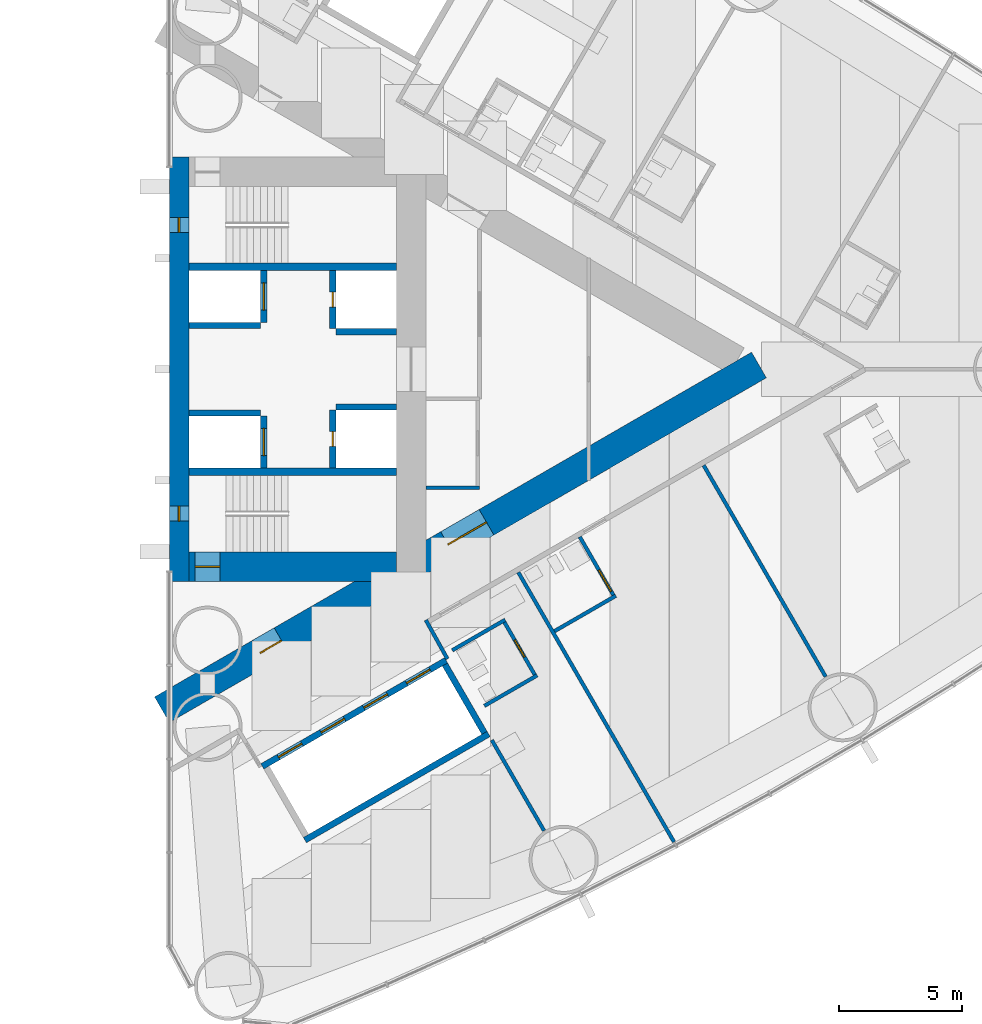
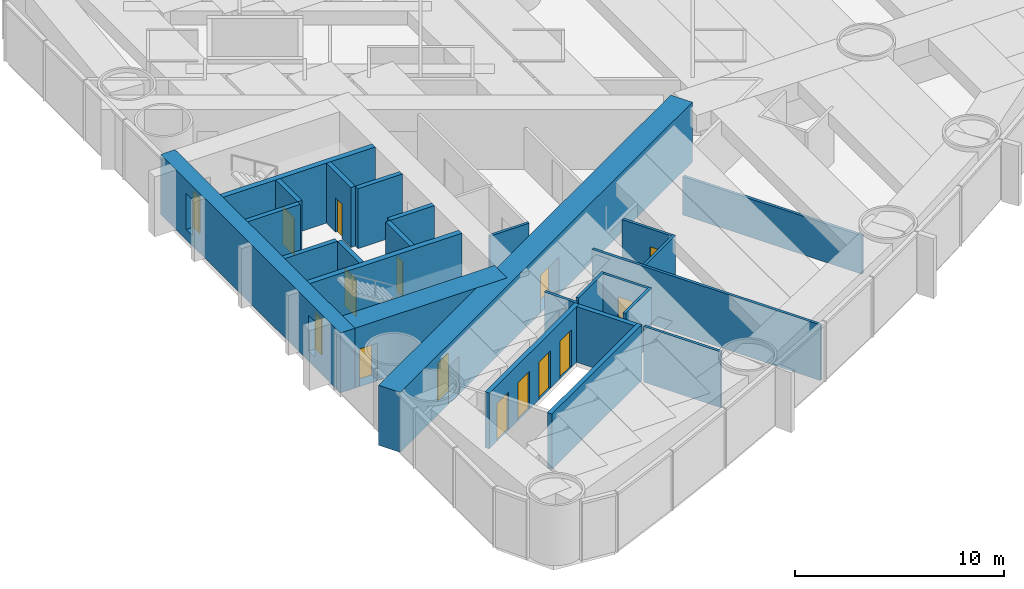
# One storey, part 14 of 19: 26 walls, 13 doors, 2 windows, 15 openings.
"""IFC4 building model written with IfcOpenShell, lengths in metres."""

import ifcopenshell
import ifcopenshell.guid

model = None  # the IFC model being written
_history = None  # IfcOwnerHistory: only IFC2X3 demands one
_inside = {}  # id of a spatial element -> (the spatial element, [elements in it])
_under = {}  # id of a project, library or spatial element -> (it, [spatial elements below it])
_declared = {}  # id of a project -> (the project, [libraries it declares])
_typed = {}  # id of a type object -> (the type object, [elements of that type])
_made_of = {}  # id of a material, layer set ... -> (it, [elements and type objects made of it])


def new_model(schema):
    """Start an empty IFC model of exactly this schema.

    Asked for "IFC4X3", IfcOpenShell would pick the latest addendum, in which some entities
    have other attributes; the version numbers below select the first issue.
    IFC2X3 requires an IfcOwnerHistory on every rooted entity: one is made here for all.
    """
    global model, _history
    if schema == "IFC4X3":
        model = ifcopenshell.file(schema_version=(4, 3, 0, 0))
    else:
        model = ifcopenshell.file(schema=schema)
    _inside.clear()
    _under.clear()
    _declared.clear()
    _typed.clear()
    _made_of.clear()
    _history = None
    if model.schema == "IFC2X3":
        org = make("IfcOrganization", Name="unknown")
        user = make(
            "IfcPersonAndOrganization",
            ThePerson=make("IfcPerson", FamilyName="unknown"),
            TheOrganization=org,
        )
        app = make(
            "IfcApplication",
            ApplicationDeveloper=org,
            Version="unknown",
            ApplicationFullName="unknown",
            ApplicationIdentifier="unknown",
        )
        _history = make(
            "IfcOwnerHistory",
            OwningUser=user,
            OwningApplication=app,
            ChangeAction="ADDED",
            CreationDate=0,
        )
    return model


def make(cls, **values):
    """One entity of the class cls with the attributes given. An attribute that is None is left unset."""
    return model.create_entity(
        cls, **{name: value for name, value in values.items() if value is not None}
    )


def rooted(cls, **values):
    """An entity with a GlobalId (a new one), such as an element, a storey or a relation."""
    return make(cls, GlobalId=ifcopenshell.guid.new(), OwnerHistory=_history, **values)


def si_unit(unit_type, name, prefix=None):
    """IfcSIUnit, for example si_unit("LENGTHUNIT", "METRE", prefix="MILLI")."""
    return make("IfcSIUnit", UnitType=unit_type, Prefix=prefix, Name=name)


def assignment(units):
    """IfcUnitAssignment: the units of a project."""
    return None if units is None else make("IfcUnitAssignment", Units=units)


def point(xyz):
    """IfcCartesianPoint."""
    return None if xyz is None else make("IfcCartesianPoint", Coordinates=xyz)


def direction(xyz):
    """IfcDirection."""
    return None if xyz is None else make("IfcDirection", DirectionRatios=xyz)


def frame(location, z_axis=None, x_axis=None):
    """IfcAxis2Placement3D, a coordinate frame: its origin and axes. An axis left out is left unset."""
    return make(
        "IfcAxis2Placement3D",
        Location=point(location),
        Axis=direction(z_axis),
        RefDirection=direction(x_axis),
    )


def frame_2d(location, x_axis=None):
    """IfcAxis2Placement2D, a coordinate frame in the plane: its origin and x axis."""
    return make(
        "IfcAxis2Placement2D", Location=point(location), RefDirection=direction(x_axis)
    )


def origin():
    """The frame at (0, 0, 0) with its axes left unset."""
    return frame((0.0, 0.0, 0.0))


def place(relative_to, where):
    """IfcLocalPlacement: puts the frame where relative to a parent placement (None: the world)."""
    return make(
        "IfcLocalPlacement", PlacementRelTo=relative_to, RelativePlacement=where
    )


def context(
    kind, dimensions, precision=None, world=None, true_north=None, identifier=None
):
    """IfcGeometricRepresentationContext, for example the 3D "Model" context."""
    return make(
        "IfcGeometricRepresentationContext",
        ContextIdentifier=identifier,
        ContextType=kind,
        CoordinateSpaceDimension=dimensions,
        Precision=precision,
        WorldCoordinateSystem=world,
        TrueNorth=true_north,
    )


def subcontext(parent, identifier, kind, view, scale=None):
    """IfcGeometricRepresentationSubContext, for example "Body" below "Model"."""
    return make(
        "IfcGeometricRepresentationSubContext",
        ContextIdentifier=identifier,
        ContextType=kind,
        ParentContext=parent,
        TargetScale=scale,
        TargetView=view,
    )


def project(units=None, contexts=None):
    """IfcProject with its units and contexts."""
    return rooted(
        "IfcProject",
        Name="project",
        RepresentationContexts=contexts,
        UnitsInContext=assignment(units),
    )


def spatial(cls, under=None, at=None, **own):
    """A site, building, storey or space (cls), placed at a placement, below another one or the project."""
    s = rooted(cls, ObjectPlacement=at, **own)
    if under is not None:
        _under.setdefault(under.id(), (under, []))[1].append(s)
    return s


def profile(cls, at=None, kind="AREA", **sizes):
    """A parametric profile (cls). Its sizes go by their IFC names, for example OverallWidth=200.0."""
    return make(cls, ProfileType=kind, Position=at, **sizes)


def rectangle(**sizes):
    """IfcRectangleProfileDef."""
    return profile("IfcRectangleProfileDef", **sizes)


def extrude(swept, where, along, depth):
    """IfcExtrudedAreaSolid: the profile swept, set in the frame where, extruded along a direction by depth."""
    return make(
        "IfcExtrudedAreaSolid",
        SweptArea=swept,
        Position=where,
        ExtrudedDirection=direction(along),
        Depth=depth,
    )


def shape(context_of_items, identifier, shape_type, items):
    """IfcShapeRepresentation: the items that make up one representation, for example the "Body"."""
    return make(
        "IfcShapeRepresentation",
        ContextOfItems=context_of_items,
        RepresentationIdentifier=identifier,
        RepresentationType=shape_type,
        Items=items,
    )


def material(Name=None, Category=None):
    """IfcMaterial."""
    return make("IfcMaterial", Name=Name, Category=Category)


def layer(
    of_material, thickness, ventilated=None, Name=None, Category=None, Priority=None
):
    """IfcMaterialLayer: one layer of a wall or slab, of a material (None: an air gap)."""
    return make(
        "IfcMaterialLayer",
        Material=of_material,
        LayerThickness=thickness,
        IsVentilated=ventilated,
        Name=Name,
        Category=Category,
        Priority=Priority,
    )


def layer_set(layers, Name=None):
    """IfcMaterialLayerSet."""
    return make("IfcMaterialLayerSet", MaterialLayers=layers, LayerSetName=Name)


def made_of(thing, what):
    """Note that an element or type object is made of a material, layer set ...; save() writes the relation."""
    if what is not None:
        _made_of.setdefault(what.id(), (what, []))[1].append(thing)
    return thing


def type_object(cls, material=None, **own):
    """A type object (cls), such as IfcWallType, which elements share."""
    return made_of(rooted(cls, **own), material)


def element(
    cls,
    number,
    at=None,
    inside=None,
    cuts=None,
    type_object=None,
    material=None,
    context=None,
    identifier="Body",
    shape_type=None,
    held_by="IfcProductDefinitionShape",
    body=None,
    shapes=None,
    **own,
):
    """One element of the class cls, such as IfcWall. Its Tag is "e" and its number.

    at: its placement. inside: the storey or other place that contains it. cuts: it is an
    opening in that element (IfcRelVoidsElement). A single representation is given by context,
    identifier, shape_type and body (its items); several are given by shapes. held_by: the class
    of the entity that holds the representations. save() writes the other relations.
    """
    e = rooted(cls, Tag="e%d" % number, ObjectPlacement=at, **own)
    if body is not None:
        shapes = [shape(context, identifier, shape_type, body)]
    if shapes is not None:
        e.Representation = make(held_by, Representations=shapes)
    if inside is not None:
        _inside.setdefault(inside.id(), (inside, []))[1].append(e)
    if cuts is not None:
        rooted(
            "IfcRelVoidsElement", RelatingBuildingElement=cuts, RelatedOpeningElement=e
        )
    if type_object is not None:
        _typed.setdefault(type_object.id(), (type_object, []))[1].append(e)
    return made_of(e, material)


def fill(opening, filler):
    """IfcRelFillsElement: the door or window that sits in an opening."""
    return rooted(
        "IfcRelFillsElement",
        RelatingOpeningElement=opening,
        RelatedBuildingElement=filler,
    )


def aggregate(whole, parts):
    """IfcRelAggregates: a whole, such as a stair, and the parts it consists of."""
    return rooted("IfcRelAggregates", RelatingObject=whole, RelatedObjects=parts)


def save(model, path):
    """Write the relations noted so far, then the file.

    IfcRelAggregates (storeys below a building ...), IfcRelContainedInSpatialStructure (elements
    in a storey), IfcRelDefinesByType, IfcRelAssociatesMaterial and IfcRelDeclares: one each for
    every whole, place, type object, material and project.
    """
    for whole, parts in _under.values():
        aggregate(whole, parts)
    for where, things in _inside.values():
        rooted(
            "IfcRelContainedInSpatialStructure",
            RelatedElements=things,
            RelatingStructure=where,
        )
    for kind, things in _typed.values():
        rooted("IfcRelDefinesByType", RelatedObjects=things, RelatingType=kind)
    for what, things in _made_of.values():
        rooted("IfcRelAssociatesMaterial", RelatedObjects=things, RelatingMaterial=what)
    for by, libraries in _declared.values():
        rooted("IfcRelDeclares", RelatingContext=by, RelatedDefinitions=libraries)
    model.write(path)


model = new_model("IFC4")

# Units and contexts
model_context = context("Model", 3, precision=1e-05, world=origin(), true_north=direction((0.0, 1.0)))
body_context = subcontext(model_context, "Body", "Model", "MODEL_VIEW")
ifc_project = project(units=[si_unit("LENGTHUNIT", "METRE"), si_unit("AREAUNIT", "SQUARE_METRE"), si_unit("VOLUMEUNIT", "CUBIC_METRE"), si_unit("PLANEANGLEUNIT", "RADIAN"), si_unit("MASSUNIT", "GRAM", prefix="KILO")], contexts=[model_context])

# Site, building, storey
site_placement = place(None, origin())
site = spatial("IfcSite", under=ifc_project, at=site_placement, CompositionType="ELEMENT")
building_placement = place(site_placement, origin())
building = spatial("IfcBuilding", under=site, at=building_placement, Name="Lancet Gate Hotel", CompositionType="ELEMENT")
storey_placement = place(building_placement, frame((0.0, 0.0, 39.0)))
storey = spatial("IfcBuildingStorey", under=building, at=storey_placement, Name="L09", CompositionType="ELEMENT", Elevation=39.0)

# Wall
ifc_material_1 = material(Name="Moisture resistant board partition")
ifc_layer_1 = layer(ifc_material_1, 0.14990234375)
ifc_layer_set_1 = layer_set([ifc_layer_1], Name="Bathroom wall 150")
wall_type_1 = type_object("IfcWallType", Name="Bathroom wall 150", PredefinedType="PARTITIONING", material=ifc_layer_set_1)
wall_1_placement = place(storey_placement, frame((43.1123046875, -10.617431640625, 0.0), z_axis=(0.0, 0.0, 1.0), x_axis=(0.866018712932, 0.500011588718, 0.0)))
element("IfcWall", 1, at=wall_1_placement, inside=storey, type_object=wall_type_1, Name="T2 bathroom wall 150 L09", PredefinedType="PARTITIONING", context=body_context, shape_type="SweptSolid", body=[
    extrude(rectangle(XDim=2.875, YDim=0.14990234375, at=frame_2d((1.4375, 0.0))), origin(), (0.0, 0.0, 1.0), 3.25),
])

# Wall, opening, door
wall_2_placement = place(storey_placement, frame((44.13720703125, -6.79248046875, 0.0), z_axis=(0.0, 0.0, 1.0), x_axis=(0.49994636267, -0.866056369097, 0.0)))
wall_2 = element("IfcWall", 2, at=wall_2_placement, inside=storey, type_object=wall_type_1, Name="T2 bathroom wall 150 L09", PredefinedType="PARTITIONING", context=body_context, shape_type="SweptSolid", body=[
    extrude(rectangle(XDim=2.800048828125, YDim=0.14990234375, at=frame_2d((1.39990234375, 0.0))), origin(), (0.0, 0.0, 1.0), 3.25),
])
opening_1_placement = place(wall_2_placement, frame((1.550048828125, 0.0, 0.0)))
opening_1 = element("IfcOpeningElement", 3, at=opening_1_placement, cuts=wall_2, Name="Opening 0954-B", PredefinedType="OPENING", context=body_context, shape_type="SweptSolid", body=[
    extrude(rectangle(XDim=1.0, YDim=2.199951171875, at=frame_2d((0.5, 1.10009765625))), frame((0.0, 0.0849609375, 0.0), z_axis=(0.0, -1.0, 0.0), x_axis=(1.0, 0.0, 0.0)), (0.0, 0.0, 1.0), 0.169921875),
])
ifc_material_2 = material(Name="Timber door set", Category="wood")
door_type_1 = type_object("IfcDoorType", Name="Accessible en-suite door 1000", OperationType="SINGLE_SWING_RIGHT", PredefinedType="DOOR", material=ifc_material_2)
door_1_placement = place(opening_1_placement, origin())
door_1 = element("IfcDoor", 4, at=door_1_placement, inside=storey, type_object=door_type_1, Name="0954-B", OperationType="SINGLE_SWING_RIGHT", OverallHeight=2.199951171875, OverallWidth=1.0, PredefinedType="DOOR", context=body_context, shape_type="SweptSolid", body=[
    extrude(rectangle(XDim=1.0, YDim=2.199951171875, at=frame_2d((0.5, 1.10009765625))), frame((0.0, 0.02490234375, 0.0), z_axis=(0.0, -1.0, 0.0), x_axis=(1.0, 0.0, 0.0)), (0.0, 0.0, 1.0), 0.050048828125),
])
fill(opening_1, door_1)

# Wall
wall_3_placement = place(storey_placement, frame((40.269775390625, -13.644287109375, 0.0), z_axis=(0.0, 0.0, 1.0), x_axis=(0.866031185235, 0.4999899861, 0.0)))
element("IfcWall", 5, at=wall_3_placement, inside=storey, type_object=wall_type_1, Name="T2 bathroom wall 150 L09", PredefinedType="PARTITIONING", context=body_context, shape_type="SweptSolid", body=[
    extrude(rectangle(XDim=2.47509765625, YDim=0.14990234375, at=frame_2d((1.237548828125, 0.0))), origin(), (0.0, 0.0, 1.0), 3.25),
])

# Wall, opening, door
wall_4_placement = place(storey_placement, frame((41.04833984375, -10.192626953125, 0.0), z_axis=(0.0, 0.0, 1.0), x_axis=(0.500047596559, -0.865997922154, 0.0)))
wall_4 = element("IfcWall", 6, at=wall_4_placement, inside=storey, type_object=wall_type_1, Name="T2 bathroom wall 150 L09", PredefinedType="PARTITIONING", context=body_context, shape_type="SweptSolid", body=[
    extrude(rectangle(XDim=2.599853515625, YDim=0.14990234375, at=frame_2d((1.2998046875, 0.0))), origin(), (0.0, 0.0, 1.0), 3.25),
])
opening_2_placement = place(wall_4_placement, frame((0.89990234375, 0.0, 0.0)))
opening_2 = element("IfcOpeningElement", 7, at=opening_2_placement, cuts=wall_4, Name="Opening 0953-B", PredefinedType="OPENING", context=body_context, shape_type="SweptSolid", body=[
    extrude(rectangle(XDim=0.800048828125, YDim=2.199951171875, at=frame_2d((0.39990234375, 1.10009765625))), frame((0.0, 0.0849609375, 0.0), z_axis=(0.0, -1.0, 0.0), x_axis=(1.0, 0.0, 0.0)), (0.0, 0.0, 1.0), 0.169921875),
])
ifc_material_3 = material(Name="Timber door set", Category="wood")
door_type_2 = type_object("IfcDoorType", Name="Bathroom door 800", OperationType="SINGLE_SWING_RIGHT", PredefinedType="DOOR", material=ifc_material_3)
door_2_placement = place(opening_2_placement, origin())
door_2 = element("IfcDoor", 8, at=door_2_placement, inside=storey, type_object=door_type_2, Name="0953-B", OperationType="SINGLE_SWING_RIGHT", OverallHeight=2.199951171875, OverallWidth=0.800048828125, PredefinedType="DOOR", context=body_context, shape_type="SweptSolid", body=[
    extrude(rectangle(XDim=0.800048828125, YDim=2.199951171875, at=frame_2d((0.39990234375, 1.10009765625))), frame((0.0, 0.02490234375, 0.0), z_axis=(0.0, -1.0, 0.0), x_axis=(1.0, 0.0, 0.0)), (0.0, 0.0, 1.0), 0.050048828125),
])
fill(opening_2, door_2)

# Wall
wall_5_placement = place(storey_placement, frame((38.9697265625, -11.392578125, 0.0), z_axis=(0.0, 0.0, 1.0), x_axis=(0.866031185235, 0.4999899861, 0.0)))
element("IfcWall", 9, at=wall_5_placement, inside=storey, type_object=wall_type_1, Name="T2 bathroom wall 150 L09", PredefinedType="PARTITIONING", context=body_context, shape_type="SweptSolid", body=[
    extrude(rectangle(XDim=2.47509765625, YDim=0.14990234375, at=frame_2d((1.237548828125, 0.0))), origin(), (0.0, 0.0, 1.0), 3.25),
])

# Wall, openings, doors
ifc_material_4 = material(Name="Concrete C70/85", Category="concrete")
ifc_layer_2 = layer(ifc_material_4, 1.199951171875)
ifc_layer_set_2 = layer_set([ifc_layer_2], Name="Buttress wall 1200")
wall_type_2 = type_object("IfcWallType", Name="Buttress wall 1200", PredefinedType="SHEAR", material=ifc_layer_set_2)
wall_6_placement = place(storey_placement, frame((27.199951171875, -13.800048828125, 0.0), z_axis=(0.0, 0.0, 1.0), x_axis=(0.866027159892, 0.499996958321, 0.0)))
wall_6 = element("IfcWall", 10, at=wall_6_placement, inside=storey, type_object=wall_type_2, Name="T2 buttress wall S L09", PredefinedType="SHEAR", context=body_context, shape_type="SweptSolid", body=[
    extrude(rectangle(XDim=27.946533203125, YDim=1.199951171875, at=frame_2d((13.97314453125, 0.0))), origin(), (0.0, 0.0, 1.0), 3.5),
])
opening_3_placement = place(wall_6_placement, frame((4.60009765625, 0.0, 0.0)))
opening_3 = element("IfcOpeningElement", 11, at=opening_3_placement, cuts=wall_6, Name="Opening T2-L09-LS", PredefinedType="OPENING", context=body_context, shape_type="SweptSolid", body=[
    extrude(rectangle(XDim=1.0, YDim=2.199951171875, at=frame_2d((0.5, 1.10009765625))), frame((0.0, 0.60986328125, 0.0), z_axis=(0.0, -1.0, 0.0), x_axis=(1.0, 0.0, 0.0)), (0.0, 0.0, 1.0), 1.219970703125),
])
opening_4_placement = place(wall_6_placement, frame((13.39453125, 0.0, 0.0)))
opening_4 = element("IfcOpeningElement", 12, at=opening_4_placement, cuts=wall_6, Name="Opening T2-L09-LHS", PredefinedType="OPENING", context=body_context, shape_type="SweptSolid", body=[
    extrude(rectangle(XDim=1.800048828125, YDim=2.199951171875, at=frame_2d((0.89990234375, 1.10009765625))), frame((0.0, 0.60986328125, 0.0), z_axis=(0.0, -1.0, 0.0), x_axis=(1.0, 0.0, 0.0)), (0.0, 0.0, 1.0), 1.219970703125),
])
ifc_material_5 = material(Name="Timber door set", Category="wood")
door_type_3 = type_object("IfcDoorType", Name="Lobby double door 1800", OperationType="DOUBLE_DOOR_SINGLE_SWING", PredefinedType="DOOR", material=ifc_material_5)
door_3_placement = place(opening_4_placement, origin())
door_3 = element("IfcDoor", 13, at=door_3_placement, inside=storey, type_object=door_type_3, Name="T2-L09-LHS", OperationType="DOUBLE_DOOR_SINGLE_SWING", OverallHeight=2.199951171875, OverallWidth=1.800048828125, PredefinedType="DOOR", context=body_context, shape_type="SweptSolid", body=[
    extrude(rectangle(XDim=1.800048828125, YDim=2.199951171875, at=frame_2d((0.89990234375, 1.10009765625))), frame((0.0, 0.02490234375, 0.0), z_axis=(0.0, -1.0, 0.0), x_axis=(1.0, 0.0, 0.0)), (0.0, 0.0, 1.0), 0.050048828125),
])
fill(opening_4, door_3)
ifc_material_6 = material(Name="Timber door set", Category="wood")
door_type_4 = type_object("IfcDoorType", Name="Stair lobby door 1000", OperationType="SINGLE_SWING_LEFT", PredefinedType="DOOR", material=ifc_material_6)
door_4_placement = place(opening_3_placement, origin())
door_4 = element("IfcDoor", 14, at=door_4_placement, inside=storey, type_object=door_type_4, Name="T2-L09-LS", OperationType="SINGLE_SWING_LEFT", OverallHeight=2.199951171875, OverallWidth=1.0, PredefinedType="DOOR", context=body_context, shape_type="SweptSolid", body=[
    extrude(rectangle(XDim=1.0, YDim=2.199951171875, at=frame_2d((0.5, 1.10009765625))), frame((0.0, 0.02490234375, 0.0), z_axis=(0.0, -1.0, 0.0), x_axis=(1.0, 0.0, 0.0)), (0.0, 0.0, 1.0), 0.050048828125),
])
fill(opening_3, door_4)

# Wall, opening, door
ifc_material_7 = material(Name="Concrete C70/85", Category="concrete")
ifc_layer_3 = layer(ifc_material_7, 1.199951171875)
ifc_layer_set_3 = layer_set([ifc_layer_3], Name="Core wall 1200")
wall_type_3 = type_object("IfcWallType", Name="Core wall 1200", PredefinedType="SHEAR", material=ifc_layer_set_3)
wall_7_placement = place(storey_placement, frame((28.300048828125, -8.0, 0.0), z_axis=(0.0, 0.0, 1.0), x_axis=(1.0, 0.0, 0.0)))
wall_7 = element("IfcWall", 15, at=wall_7_placement, inside=storey, type_object=wall_type_3, Name="T2 core wall side-S L09", PredefinedType="SHEAR", context=body_context, shape_type="SweptSolid", body=[
    extrude(rectangle(XDim=8.39990234375, YDim=1.199951171875, at=frame_2d((4.199951171875, 0.0))), origin(), (0.0, 0.0, 1.0), 3.5),
])
opening_5_placement = place(wall_7_placement, frame((0.25, 0.0, 0.0)))
opening_5 = element("IfcOpeningElement", 16, at=opening_5_placement, cuts=wall_7, Name="Opening T2-L09-ST1", PredefinedType="OPENING", context=body_context, shape_type="SweptSolid", body=[
    extrude(rectangle(XDim=1.0, YDim=2.199951171875, at=frame_2d((0.5, 1.10009765625))), frame((0.0, 0.60986328125, 0.0), z_axis=(0.0, -1.0, 0.0), x_axis=(1.0, 0.0, 0.0)), (0.0, 0.0, 1.0), 1.219970703125),
])
ifc_material_8 = material(Name="Timber door set", Category="wood")
door_type_5 = type_object("IfcDoorType", Name="Stair door 1000", OperationType="SINGLE_SWING_RIGHT", PredefinedType="DOOR", material=ifc_material_8)
door_5_placement = place(opening_5_placement, origin())
door_5 = element("IfcDoor", 17, at=door_5_placement, inside=storey, type_object=door_type_5, Name="T2-L09-ST1", OperationType="SINGLE_SWING_RIGHT", OverallHeight=2.199951171875, OverallWidth=1.0, PredefinedType="DOOR", context=body_context, shape_type="SweptSolid", body=[
    extrude(rectangle(XDim=1.0, YDim=2.199951171875, at=frame_2d((0.5, 1.10009765625))), frame((0.0, 0.02490234375, 0.0), z_axis=(0.0, -1.0, 0.0), x_axis=(1.0, 0.0, 0.0)), (0.0, 0.0, 1.0), 0.050048828125),
])
fill(opening_5, door_5)

# Wall, openings, windows
ifc_material_9 = material(Name="Concrete C70/85", Category="concrete")
ifc_layer_4 = layer(ifc_material_9, 0.800048828125)
ifc_layer_set_4 = layer_set([ifc_layer_4], Name="Core wall 800")
wall_type_4 = type_object("IfcWallType", Name="Core wall 800", PredefinedType="SHEAR", material=ifc_layer_set_4)
wall_8_placement = place(storey_placement, frame((27.89990234375, -8.60009765625, 0.0), z_axis=(0.0, 0.0, 1.0), x_axis=(0.0, 1.0, 0.0)))
wall_8 = element("IfcWall", 18, at=wall_8_placement, inside=storey, type_object=wall_type_4, Name="T2 core wall front L09", PredefinedType="SHEAR", context=body_context, shape_type="SweptSolid", body=[
    extrude(rectangle(XDim=17.2001953125, YDim=0.800048828125, at=frame_2d((8.60009765625, 0.0))), origin(), (0.0, 0.0, 1.0), 3.5),
])
opening_6_placement = place(wall_8_placement, frame((2.449951171875, 0.0, 0.60009765625)))
opening_6 = element("IfcOpeningElement", 19, at=opening_6_placement, cuts=wall_8, Name="Opening LW1", PredefinedType="OPENING", context=body_context, shape_type="SweptSolid", body=[
    extrude(rectangle(XDim=0.60009765625, YDim=2.10009765625, at=frame_2d((0.300048828125, 1.050048828125))), frame((0.0, 0.409912109375, 0.0), z_axis=(0.0, -1.0, 0.0), x_axis=(1.0, 0.0, 0.0)), (0.0, 0.0, 1.0), 0.820068359375),
])
opening_7_placement = place(wall_8_placement, frame((14.14990234375, 0.0, 0.60009765625)))
opening_7 = element("IfcOpeningElement", 20, at=opening_7_placement, cuts=wall_8, Name="Opening LW1", PredefinedType="OPENING", context=body_context, shape_type="SweptSolid", body=[
    extrude(rectangle(XDim=0.60009765625, YDim=2.10009765625, at=frame_2d((0.300048828125, 1.050048828125))), frame((0.0, 0.409912109375, 0.0), z_axis=(0.0, -1.0, 0.0), x_axis=(1.0, 0.0, 0.0)), (0.0, 0.0, 1.0), 0.820068359375),
])
ifc_material_10 = material(Name="Fire-resisting glazed steel window", Category="steel")
window_type = type_object("IfcWindowType", Name="Lancet window 600x2100", PartitioningType="SINGLE_PANEL", PredefinedType="WINDOW", material=ifc_material_10)
window_1_placement = place(opening_6_placement, origin())
window_1 = element("IfcWindow", 21, at=window_1_placement, inside=storey, type_object=window_type, Name="T2 stair window S L09", OverallHeight=2.10009765625, OverallWidth=0.60009765625, PartitioningType="SINGLE_PANEL", PredefinedType="WINDOW", context=body_context, shape_type="SweptSolid", body=[
    extrude(rectangle(XDim=0.60009765625, YDim=2.10009765625, at=frame_2d((0.300048828125, 1.050048828125))), frame((0.0, 0.030029296875, 0.0), z_axis=(0.0, -1.0, 0.0), x_axis=(1.0, 0.0, 0.0)), (0.0, 0.0, 1.0), 0.06005859375),
])
fill(opening_6, window_1)
window_2_placement = place(opening_7_placement, origin())
window_2 = element("IfcWindow", 22, at=window_2_placement, inside=storey, type_object=window_type, Name="T2 stair window N L09", OverallHeight=2.10009765625, OverallWidth=0.60009765625, PartitioningType="SINGLE_PANEL", PredefinedType="WINDOW", context=body_context, shape_type="SweptSolid", body=[
    extrude(rectangle(XDim=0.60009765625, YDim=2.10009765625, at=frame_2d((0.300048828125, 1.050048828125))), frame((0.0, 0.030029296875, 0.0), z_axis=(0.0, -1.0, 0.0), x_axis=(1.0, 0.0, 0.0)), (0.0, 0.0, 1.0), 0.06005859375),
])
fill(opening_7, window_2)

# Wall, openings, doors
ifc_material_11 = material(Name="Gypsum board partition")
ifc_layer_5 = layer(ifc_material_11, 0.25)
ifc_layer_set_5 = layer_set([ifc_layer_5], Name="Lift shaft partition 250")
wall_type_5 = type_object("IfcWallType", Name="Lift shaft partition 250", PredefinedType="PARTITIONING", material=ifc_layer_set_5)
wall_9_placement = place(storey_placement, frame((31.2705078125, -16.09716796875, 0.0), z_axis=(0.0, 0.0, 1.0), x_axis=(0.86604045752, 0.499973925258, 0.0)))
wall_9 = element("IfcWall", 23, at=wall_9_placement, inside=storey, type_object=wall_type_5, Name="T2 lift shaft wall LR L09", PredefinedType="PARTITIONING", context=body_context, shape_type="SweptSolid", body=[
    extrude(rectangle(XDim=8.60009765625, YDim=0.25, at=frame_2d((4.300048828125, 0.0))), origin(), (0.0, 0.0, 1.0), 3.25),
])
opening_8_placement = place(wall_9_placement, frame((0.75, 0.0, 0.0)))
opening_8 = element("IfcOpeningElement", 24, at=opening_8_placement, cuts=wall_9, Name="Opening T2-LR1-L09", PredefinedType="OPENING", context=body_context, shape_type="SweptSolid", body=[
    extrude(rectangle(XDim=1.10009765625, YDim=2.199951171875, at=frame_2d((0.550048828125, 1.10009765625))), frame((0.0, 0.135009765625, 0.0), z_axis=(0.0, -1.0, 0.0), x_axis=(1.0, 0.0, 0.0)), (0.0, 0.0, 1.0), 0.27001953125),
])
opening_9_placement = place(wall_9_placement, frame((2.75, 0.0, 0.0)))
opening_9 = element("IfcOpeningElement", 25, at=opening_9_placement, cuts=wall_9, Name="Opening T2-LR2-L09", PredefinedType="OPENING", context=body_context, shape_type="SweptSolid", body=[
    extrude(rectangle(XDim=1.10009765625, YDim=2.199951171875, at=frame_2d((0.550048828125, 1.10009765625))), frame((0.0, 0.135009765625, 0.0), z_axis=(0.0, -1.0, 0.0), x_axis=(1.0, 0.0, 0.0)), (0.0, 0.0, 1.0), 0.27001953125),
])
opening_10_placement = place(wall_9_placement, frame((4.75, 0.0, 0.0)))
opening_10 = element("IfcOpeningElement", 26, at=opening_10_placement, cuts=wall_9, Name="Opening T2-LR3-L09", PredefinedType="OPENING", context=body_context, shape_type="SweptSolid", body=[
    extrude(rectangle(XDim=1.10009765625, YDim=2.199951171875, at=frame_2d((0.550048828125, 1.10009765625))), frame((0.0, 0.135009765625, 0.0), z_axis=(0.0, -1.0, 0.0), x_axis=(1.0, 0.0, 0.0)), (0.0, 0.0, 1.0), 0.27001953125),
])
opening_11_placement = place(wall_9_placement, frame((6.75, 0.0, 0.0)))
opening_11 = element("IfcOpeningElement", 27, at=opening_11_placement, cuts=wall_9, Name="Opening T2-LR4-L09", PredefinedType="OPENING", context=body_context, shape_type="SweptSolid", body=[
    extrude(rectangle(XDim=1.10009765625, YDim=2.199951171875, at=frame_2d((0.550048828125, 1.10009765625))), frame((0.0, 0.135009765625, 0.0), z_axis=(0.0, -1.0, 0.0), x_axis=(1.0, 0.0, 0.0)), (0.0, 0.0, 1.0), 0.27001953125),
])
ifc_material_12 = material(Name="Steel door set", Category="steel")
door_type_6 = type_object("IfcDoorType", Name="Lift landing door 1100", OperationType="DOUBLE_DOOR_SLIDING", PredefinedType="USERDEFINED", material=ifc_material_12)
door_6_placement = place(opening_8_placement, origin())
door_6 = element("IfcDoor", 28, at=door_6_placement, inside=storey, type_object=door_type_6, Name="T2-LR1-L09", ObjectType="LIFT LANDING DOOR", OperationType="DOUBLE_DOOR_SLIDING", OverallHeight=2.199951171875, OverallWidth=1.10009765625, PredefinedType="USERDEFINED", context=body_context, shape_type="SweptSolid", body=[
    extrude(rectangle(XDim=1.10009765625, YDim=2.199951171875, at=frame_2d((0.550048828125, 1.10009765625))), frame((0.0, 0.02490234375, 0.0), z_axis=(0.0, -1.0, 0.0), x_axis=(1.0, 0.0, 0.0)), (0.0, 0.0, 1.0), 0.050048828125),
])
fill(opening_8, door_6)
door_7_placement = place(opening_9_placement, origin())
door_7 = element("IfcDoor", 29, at=door_7_placement, inside=storey, type_object=door_type_6, Name="T2-LR2-L09", ObjectType="LIFT LANDING DOOR", OperationType="DOUBLE_DOOR_SLIDING", OverallHeight=2.199951171875, OverallWidth=1.10009765625, PredefinedType="USERDEFINED", context=body_context, shape_type="SweptSolid", body=[
    extrude(rectangle(XDim=1.10009765625, YDim=2.199951171875, at=frame_2d((0.550048828125, 1.10009765625))), frame((0.0, 0.02490234375, 0.0), z_axis=(0.0, -1.0, 0.0), x_axis=(1.0, 0.0, 0.0)), (0.0, 0.0, 1.0), 0.050048828125),
])
fill(opening_9, door_7)
door_8_placement = place(opening_10_placement, origin())
door_8 = element("IfcDoor", 30, at=door_8_placement, inside=storey, type_object=door_type_6, Name="T2-LR3-L09", ObjectType="LIFT LANDING DOOR", OperationType="DOUBLE_DOOR_SLIDING", OverallHeight=2.199951171875, OverallWidth=1.10009765625, PredefinedType="USERDEFINED", context=body_context, shape_type="SweptSolid", body=[
    extrude(rectangle(XDim=1.10009765625, YDim=2.199951171875, at=frame_2d((0.550048828125, 1.10009765625))), frame((0.0, 0.02490234375, 0.0), z_axis=(0.0, -1.0, 0.0), x_axis=(1.0, 0.0, 0.0)), (0.0, 0.0, 1.0), 0.050048828125),
])
fill(opening_10, door_8)
door_9_placement = place(opening_11_placement, origin())
door_9 = element("IfcDoor", 31, at=door_9_placement, inside=storey, type_object=door_type_6, Name="T2-LR4-L09", ObjectType="LIFT LANDING DOOR", OperationType="DOUBLE_DOOR_SLIDING", OverallHeight=2.199951171875, OverallWidth=1.10009765625, PredefinedType="USERDEFINED", context=body_context, shape_type="SweptSolid", body=[
    extrude(rectangle(XDim=1.10009765625, YDim=2.199951171875, at=frame_2d((0.550048828125, 1.10009765625))), frame((0.0, 0.02490234375, 0.0), z_axis=(0.0, -1.0, 0.0), x_axis=(1.0, 0.0, 0.0)), (0.0, 0.0, 1.0), 0.050048828125),
])
fill(opening_11, door_9)

# Walls
wall_10_placement = place(storey_placement, frame((32.99560546875, -19.085693359375, 0.0), z_axis=(0.0, 0.0, 1.0), x_axis=(0.866028165386, 0.499995216735, 0.0)))
element("IfcWall", 32, at=wall_10_placement, inside=storey, type_object=wall_type_5, Name="T2 lift shaft wall LR L09", PredefinedType="PARTITIONING", context=body_context, shape_type="SweptSolid", body=[
    extrude(rectangle(XDim=8.60009765625, YDim=0.25, at=frame_2d((4.300048828125, 0.0))), origin(), (0.0, 0.0, 1.0), 3.25),
])
wall_11_placement = place(storey_placement, frame((38.672607421875, -11.968017578125, 0.0), z_axis=(0.0, 0.0, 1.0), x_axis=(0.499929347863, -0.866066190972, 0.0)))
element("IfcWall", 33, at=wall_11_placement, inside=storey, type_object=wall_type_5, Name="T2 lift shaft wall LR L09", PredefinedType="PARTITIONING", context=body_context, shape_type="SweptSolid", body=[
    extrude(rectangle(XDim=3.20068359375, YDim=0.25, at=frame_2d((1.600341796875, 0.0))), origin(), (0.0, 0.0, 1.0), 3.25),
])

# Wall, opening, door
ifc_material_13 = material(Name="Concrete C50/60", Category="concrete")
ifc_layer_6 = layer(ifc_material_13, 0.25)
ifc_layer_set_6 = layer_set([ifc_layer_6], Name="Lift shaft wall 250")
wall_type_6 = type_object("IfcWallType", Name="Lift shaft wall 250", PredefinedType="SHEAR", material=ifc_layer_set_6)
wall_12_placement = place(storey_placement, frame((31.324951171875, -4.0, 0.0), z_axis=(0.0, 0.0, 1.0), x_axis=(0.0, 1.0, 0.0)))
wall_12 = element("IfcWall", 34, at=wall_12_placement, inside=storey, type_object=wall_type_6, Name="T2 core wall row1-S L09", PredefinedType="SHEAR", context=body_context, shape_type="SweptSolid", body=[
    extrude(rectangle(XDim=2.10009765625, YDim=0.25, at=frame_2d((1.050048828125, 0.0))), origin(), (0.0, 0.0, 1.0), 3.5),
])
opening_12_placement = place(wall_12_placement, frame((0.5, 0.0, 0.0)))
opening_12 = element("IfcOpeningElement", 35, at=opening_12_placement, cuts=wall_12, Name="Opening T2-SL1-L09", PredefinedType="OPENING", context=body_context, shape_type="SweptSolid", body=[
    extrude(rectangle(XDim=1.10009765625, YDim=2.199951171875, at=frame_2d((0.550048828125, 1.10009765625))), frame((0.0, 0.135009765625, 0.0), z_axis=(0.0, -1.0, 0.0), x_axis=(1.0, 0.0, 0.0)), (0.0, 0.0, 1.0), 0.27001953125),
])
ifc_material_14 = material(Name="Timber door set", Category="wood")
door_type_7 = type_object("IfcDoorType", Name="Service lift landing door 1100", OperationType="SLIDING_TO_LEFT", PredefinedType="USERDEFINED", material=ifc_material_14)
door_10_placement = place(opening_12_placement, origin())
door_10 = element("IfcDoor", 36, at=door_10_placement, inside=storey, type_object=door_type_7, Name="T2-SL1-L09", ObjectType="LIFT LANDING DOOR", OperationType="SLIDING_TO_LEFT", OverallHeight=2.199951171875, OverallWidth=1.10009765625, PredefinedType="USERDEFINED", context=body_context, shape_type="SweptSolid", body=[
    extrude(rectangle(XDim=1.10009765625, YDim=2.199951171875, at=frame_2d((0.550048828125, 1.10009765625))), frame((0.0, 0.02490234375, 0.0), z_axis=(0.0, -1.0, 0.0), x_axis=(1.0, 0.0, 0.0)), (0.0, 0.0, 1.0), 0.050048828125),
])
fill(opening_12, door_10)

wall_13_placement = place(storey_placement, frame((34.125, -4.0, 0.0), z_axis=(0.0, 0.0, 1.0), x_axis=(0.0, 1.0, 0.0)))
wall_13 = element("IfcWall", 37, at=wall_13_placement, inside=storey, type_object=wall_type_6, Name="T2 core wall row2-S L09", PredefinedType="SHEAR", context=body_context, shape_type="SweptSolid", body=[
    extrude(rectangle(XDim=2.35009765625, YDim=0.25, at=frame_2d((1.175048828125, 0.0))), origin(), (0.0, 0.0, 1.0), 3.5),
])
opening_13_placement = place(wall_13_placement, frame((0.875, 0.0, 0.0)))
opening_13 = element("IfcOpeningElement", 38, at=opening_13_placement, cuts=wall_13, Name="Opening T2-OL3-L09-E", PredefinedType="OPENING", context=body_context, shape_type="SweptSolid", body=[
    extrude(rectangle(XDim=0.60009765625, YDim=2.0, at=frame_2d((0.300048828125, 1.0))), frame((0.0, 0.135009765625, 0.0), z_axis=(0.0, -1.0, 0.0), x_axis=(1.0, 0.0, 0.0)), (0.0, 0.0, 1.0), 0.27001953125),
])
ifc_material_15 = material(Name="Steel door set", Category="steel")
door_type_8 = type_object("IfcDoorType", Name="Lift shaft emergency door 600x2000", OperationType="SLIDING_TO_LEFT", PredefinedType="DOOR", material=ifc_material_15)
door_11_placement = place(opening_13_placement, origin())
door_11 = element("IfcDoor", 39, at=door_11_placement, inside=storey, type_object=door_type_8, Name="T2-OL3-L09-E", OperationType="SLIDING_TO_LEFT", OverallHeight=2.0, OverallWidth=0.60009765625, PredefinedType="DOOR", context=body_context, shape_type="SweptSolid", body=[
    extrude(rectangle(XDim=0.60009765625, YDim=2.0, at=frame_2d((0.300048828125, 1.0))), frame((0.0, 0.02490234375, 0.0), z_axis=(0.0, -1.0, 0.0), x_axis=(1.0, 0.0, 0.0)), (0.0, 0.0, 1.0), 0.050048828125),
])
fill(opening_13, door_11)

# Walls
wall_14_placement = place(storey_placement, frame((28.300048828125, -1.77490234375, 0.0), z_axis=(0.0, 0.0, 1.0), x_axis=(1.0, 0.0, 0.0)))
element("IfcWall", 40, at=wall_14_placement, inside=storey, type_object=wall_type_6, Name="T2 core wall pass1-S L09", PredefinedType="SHEAR", context=body_context, shape_type="SweptSolid", body=[
    extrude(rectangle(XDim=2.89990234375, YDim=0.25, at=frame_2d((1.449951171875, 0.0))), origin(), (0.0, 0.0, 1.0), 3.5),
])
wall_15_placement = place(storey_placement, frame((34.25, -1.52490234375, 0.0), z_axis=(0.0, 0.0, 1.0), x_axis=(1.0, 0.0, 0.0)))
element("IfcWall", 41, at=wall_15_placement, inside=storey, type_object=wall_type_6, Name="T2 core wall pass2-S L09", PredefinedType="SHEAR", context=body_context, shape_type="SweptSolid", body=[
    extrude(rectangle(XDim=2.449951171875, YDim=0.25, at=frame_2d((1.22509765625, 0.0))), origin(), (0.0, 0.0, 1.0), 3.5),
])

# Wall, opening, door
wall_16_placement = place(storey_placement, frame((31.324951171875, 1.89990234375, 0.0), z_axis=(0.0, 0.0, 1.0), x_axis=(0.0, 1.0, 0.0)))
wall_16 = element("IfcWall", 42, at=wall_16_placement, inside=storey, type_object=wall_type_6, Name="T2 core wall row1-N L09", PredefinedType="SHEAR", context=body_context, shape_type="SweptSolid", body=[
    extrude(rectangle(XDim=2.10009765625, YDim=0.25, at=frame_2d((1.050048828125, 0.0))), origin(), (0.0, 0.0, 1.0), 3.5),
])
opening_14_placement = place(wall_16_placement, frame((0.5, 0.0, 0.0)))
opening_14 = element("IfcOpeningElement", 43, at=opening_14_placement, cuts=wall_16, Name="Opening T2-FL2-L09", PredefinedType="OPENING", context=body_context, shape_type="SweptSolid", body=[
    extrude(rectangle(XDim=1.10009765625, YDim=2.199951171875, at=frame_2d((0.550048828125, 1.10009765625))), frame((0.0, 0.135009765625, 0.0), z_axis=(0.0, -1.0, 0.0), x_axis=(1.0, 0.0, 0.0)), (0.0, 0.0, 1.0), 0.27001953125),
])
ifc_material_16 = material(Name="Steel door set", Category="steel")
door_type_9 = type_object("IfcDoorType", Name="Firefighting lift landing door 1100", OperationType="SLIDING_TO_LEFT", PredefinedType="USERDEFINED", material=ifc_material_16)
door_12_placement = place(opening_14_placement, origin())
door_12 = element("IfcDoor", 44, at=door_12_placement, inside=storey, type_object=door_type_9, Name="T2-FL2-L09", ObjectType="LIFT LANDING DOOR", OperationType="SLIDING_TO_LEFT", OverallHeight=2.199951171875, OverallWidth=1.10009765625, PredefinedType="USERDEFINED", context=body_context, shape_type="SweptSolid", body=[
    extrude(rectangle(XDim=1.10009765625, YDim=2.199951171875, at=frame_2d((0.550048828125, 1.10009765625))), frame((0.0, 0.02490234375, 0.0), z_axis=(0.0, -1.0, 0.0), x_axis=(1.0, 0.0, 0.0)), (0.0, 0.0, 1.0), 0.050048828125),
])
fill(opening_14, door_12)

wall_17_placement = place(storey_placement, frame((34.125, 1.64990234375, 0.0), z_axis=(0.0, 0.0, 1.0), x_axis=(0.0, 1.0, 0.0)))
wall_17 = element("IfcWall", 45, at=wall_17_placement, inside=storey, type_object=wall_type_6, Name="T2 core wall row2-N L09", PredefinedType="SHEAR", context=body_context, shape_type="SweptSolid", body=[
    extrude(rectangle(XDim=2.35009765625, YDim=0.25, at=frame_2d((1.175048828125, 0.0))), origin(), (0.0, 0.0, 1.0), 3.5),
])
opening_15_placement = place(wall_17_placement, frame((0.875, 0.0, 0.0)))
opening_15 = element("IfcOpeningElement", 46, at=opening_15_placement, cuts=wall_17, Name="Opening T2-OL4-L09-E", PredefinedType="OPENING", context=body_context, shape_type="SweptSolid", body=[
    extrude(rectangle(XDim=0.60009765625, YDim=2.0, at=frame_2d((0.300048828125, 1.0))), frame((0.0, 0.135009765625, 0.0), z_axis=(0.0, -1.0, 0.0), x_axis=(1.0, 0.0, 0.0)), (0.0, 0.0, 1.0), 0.27001953125),
])
door_13_placement = place(opening_15_placement, origin())
door_13 = element("IfcDoor", 47, at=door_13_placement, inside=storey, type_object=door_type_8, Name="T2-OL4-L09-E", OperationType="SLIDING_TO_LEFT", OverallHeight=2.0, OverallWidth=0.60009765625, PredefinedType="DOOR", context=body_context, shape_type="SweptSolid", body=[
    extrude(rectangle(XDim=0.60009765625, YDim=2.0, at=frame_2d((0.300048828125, 1.0))), frame((0.0, 0.02490234375, 0.0), z_axis=(0.0, -1.0, 0.0), x_axis=(1.0, 0.0, 0.0)), (0.0, 0.0, 1.0), 0.050048828125),
])
fill(opening_15, door_13)

# Walls
wall_18_placement = place(storey_placement, frame((28.300048828125, 1.77490234375, 0.0), z_axis=(0.0, 0.0, 1.0), x_axis=(1.0, 0.0, 0.0)))
element("IfcWall", 48, at=wall_18_placement, inside=storey, type_object=wall_type_6, Name="T2 core wall pass1-N L09", PredefinedType="SHEAR", context=body_context, shape_type="SweptSolid", body=[
    extrude(rectangle(XDim=2.89990234375, YDim=0.25, at=frame_2d((1.449951171875, 0.0))), origin(), (0.0, 0.0, 1.0), 3.5),
])
wall_19_placement = place(storey_placement, frame((34.25, 1.52490234375, 0.0), z_axis=(0.0, 0.0, 1.0), x_axis=(1.0, 0.0, 0.0)))
element("IfcWall", 49, at=wall_19_placement, inside=storey, type_object=wall_type_6, Name="T2 core wall pass2-N L09", PredefinedType="SHEAR", context=body_context, shape_type="SweptSolid", body=[
    extrude(rectangle(XDim=2.449951171875, YDim=0.25, at=frame_2d((1.22509765625, 0.0))), origin(), (0.0, 0.0, 1.0), 3.5),
])
ifc_material_17 = material(Name="Gypsum board partition")
ifc_layer_7 = layer(ifc_material_17, 0.14990234375)
ifc_layer_set_7 = layer_set([ifc_layer_7], Name="Party wall 150")
wall_type_7 = type_object("IfcWallType", Name="Party wall 150", PredefinedType="PARTITIONING", material=ifc_layer_set_7)
wall_20_placement = place(storey_placement, frame((41.6474609375, -8.22998046875, 0.0), z_axis=(0.0, 0.0, 1.0), x_axis=(0.49998590462, -0.866033541603, 0.0)))
element("IfcWall", 50, at=wall_20_placement, inside=storey, type_object=wall_type_7, Name="T2 party wall 150 L09", PredefinedType="PARTITIONING", context=body_context, shape_type="SweptSolid", body=[
    extrude(rectangle(XDim=12.620849609375, YDim=0.14990234375, at=frame_2d((6.310546875, 0.0))), origin(), (0.0, 0.0, 1.0), 3.25),
])
wall_21_placement = place(storey_placement, frame((49.159423828125, -3.892822265625, 0.0), z_axis=(0.0, 0.0, 1.0), x_axis=(0.499998773722, -0.866026111775, 0.0)))
element("IfcWall", 51, at=wall_21_placement, inside=storey, type_object=wall_type_7, Name="T2 party wall 150 L09", PredefinedType="PARTITIONING", context=body_context, shape_type="SweptSolid", body=[
    extrude(rectangle(XDim=9.8916015625, YDim=0.14990234375, at=frame_2d((4.94580078125, 0.0))), origin(), (0.0, 0.0, 1.0), 2.25),
])
wall_22_placement = place(storey_placement, frame((40.5703125, -15.030029296875, 0.0), z_axis=(0.0, 0.0, 1.0), x_axis=(0.500012993597, -0.866017901798, 0.0)))
element("IfcWall", 52, at=wall_22_placement, inside=storey, type_object=wall_type_7, Name="T2 party wall 150 L09", PredefinedType="PARTITIONING", context=body_context, shape_type="SweptSolid", body=[
    extrude(rectangle(XDim=4.2431640625, YDim=0.14990234375, at=frame_2d((2.12158203125, 0.0))), origin(), (0.0, 0.0, 1.0), 3.25),
])
ifc_material_18 = material(Name="Gypsum board partition")
ifc_layer_8 = layer(ifc_material_18, 0.14990234375)
ifc_layer_set_8 = layer_set([ifc_layer_8], Name="Service room wall 150")
wall_type_8 = type_object("IfcWallType", Name="Service room wall 150", PredefinedType="PARTITIONING", material=ifc_layer_set_8)
wall_23_placement = place(storey_placement, frame((38.7734375, -11.742431640625, 0.0), z_axis=(0.0, 0.0, 1.0), x_axis=(-0.485528096672, 0.8742210632, 0.0)))
element("IfcWall", 53, at=wall_23_placement, inside=storey, type_object=wall_type_8, Name="T2 service room wall 150 L09", PredefinedType="PARTITIONING", context=body_context, shape_type="SweptSolid", body=[
    extrude(rectangle(XDim=1.80517578125, YDim=0.14990234375, at=frame_2d((0.902587890625, 0.0))), origin(), (0.0, 0.0, 1.0), 3.25),
])
wall_24_placement = place(storey_placement, frame((37.89990234375, -4.800048828125, 0.0), z_axis=(0.0, 0.0, 1.0), x_axis=(1.0, 0.0, 0.0)))
element("IfcWall", 54, at=wall_24_placement, inside=storey, type_object=wall_type_8, Name="T2 service room wall 150 L09", PredefinedType="PARTITIONING", context=body_context, shape_type="SweptSolid", body=[
    extrude(rectangle(XDim=2.175048828125, YDim=0.14990234375, at=frame_2d((1.08740234375, 0.0))), origin(), (0.0, 0.0, 1.0), 3.25),
])
ifc_material_19 = material(Name="Concrete C50/60", Category="concrete")
ifc_layer_9 = layer(ifc_material_19, 0.300048828125)
ifc_layer_set_9 = layer_set([ifc_layer_9], Name="Stair enclosure wall 300")
wall_type_9 = type_object("IfcWallType", Name="Stair enclosure wall 300", PredefinedType="SHEAR", material=ifc_layer_set_9)
for number, where, z_axis, x_axis, name in (
    (55, (28.300048828125, -4.14990234375, 0.0), (0.0, 0.0, 1.0), (1.0, 0.0, 0.0), "T2 core wall stair-S L09"),
    (56, (28.300048828125, 4.14990234375, 0.0), (0.0, 0.0, 1.0), (1.0, 0.0, 0.0), "T2 core wall stair-N L09"),
):
    element("IfcWall", number, at=place(storey_placement, frame(where, z_axis=z_axis, x_axis=x_axis)), inside=storey, type_object=wall_type_9, Name=name, PredefinedType="SHEAR", context=body_context, shape_type="SweptSolid", body=[
        extrude(rectangle(XDim=8.39990234375, YDim=0.300048828125, at=frame_2d((4.199951171875, 0.0))), origin(), (0.0, 0.0, 1.0), 3.5),
    ])

save(model, "model.ifc")
